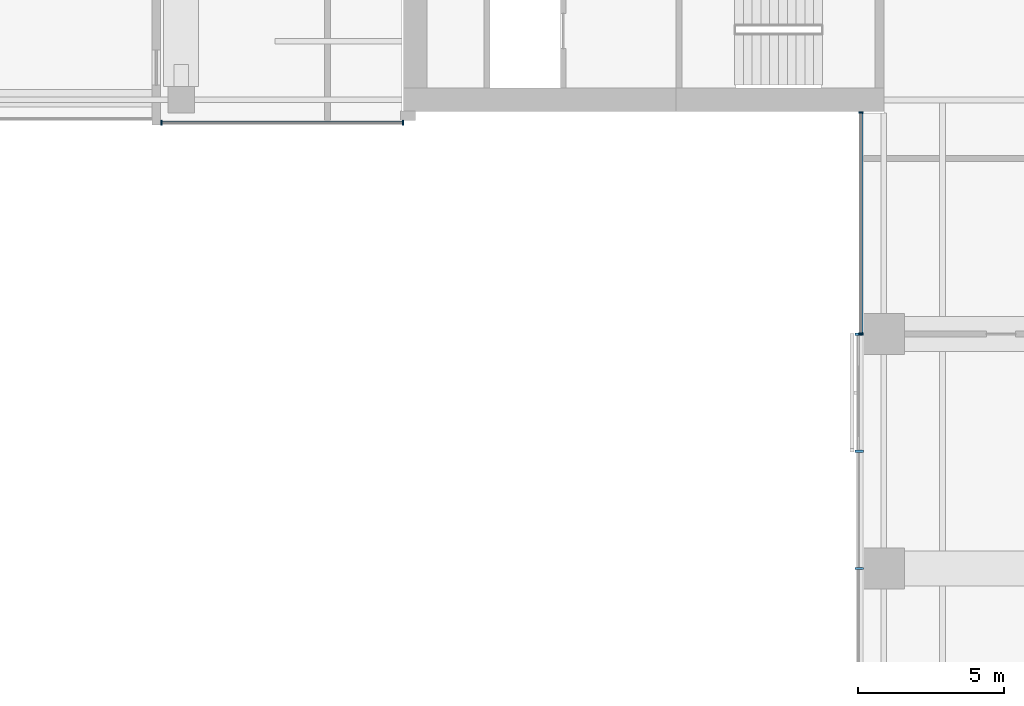
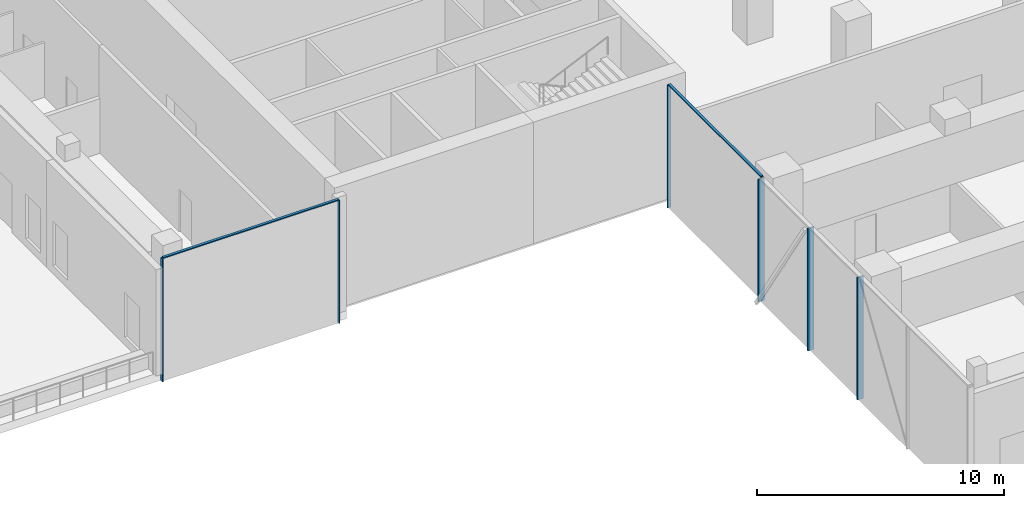
# One storey, part 3 of 23: 9 members, 3 elements without a shape of their own.
"""IFC4 building model written with IfcOpenShell, lengths in metres."""

from ifc_helpers import new_model, si_unit, direction, frame, origin, origin_2d, place, context, subcontext, project, spatial, rectangle, extrude, material, material_profile, profile_set, type_object, element, aggregate, save


model = new_model("IFC4")

# Units and contexts
model_context = context("Model", 3, precision=1e-05, world=origin(), true_north=direction((0.0, 1.0)))
body_context = subcontext(model_context, "Body", "Model", "MODEL_VIEW")
ifc_project = project(units=[si_unit("LENGTHUNIT", "METRE"), si_unit("AREAUNIT", "SQUARE_METRE"), si_unit("VOLUMEUNIT", "CUBIC_METRE"), si_unit("PLANEANGLEUNIT", "RADIAN"), si_unit("MASSUNIT", "GRAM", prefix="KILO")], contexts=[model_context])

# Site, building, storey
site_placement = place(None, origin())
site = spatial("IfcSite", under=ifc_project, at=site_placement, CompositionType="ELEMENT")
building_placement = place(site_placement, origin())
building = spatial("IfcBuilding", under=site, at=building_placement, Name="Crosswind Convention Tower", CompositionType="ELEMENT")
storey_placement = place(building_placement, frame((0.0, 0.0, 47.5)))
storey = spatial("IfcBuildingStorey", under=building, at=storey_placement, Name="L06", CompositionType="ELEMENT", Elevation=47.5)

# Curtain wall, members
ifc_material_1 = material(Name="Aluminium unitised curtain wall", Category="aluminium")
curtain_wall_type_1 = type_object("IfcCurtainWallType", Name="CORE END SLOT WALL 160", PredefinedType="USERDEFINED", material=ifc_material_1)
curtain_wall_1_placement = place(storey_placement, origin())
curtain_wall_1 = element("IfcCurtainWall", 1, at=curtain_wall_1_placement, inside=storey, type_object=curtain_wall_type_1, Name="CW6 L06 W-S.1-1 slot", ObjectType="UNITISED", PredefinedType="USERDEFINED")
ifc_material_2 = material(Name="Aluminium mullion", Category="aluminium")
ifc_material_profile_1 = material_profile(ifc_material_2, rectangle(XDim=0.159912109375, YDim=0.050048828125, at=origin_2d()), Name="AL 160X50")
ifc_profile_set_1 = profile_set([ifc_material_profile_1], Name="Aluminium mullion")
member_type_1 = type_object("IfcMemberType", Name="MULLION 50X160", PredefinedType="MULLION", material=ifc_profile_set_1)
member_1_placement = place(storey_placement, frame((88.324951171875, 87.219970703125, -0.39990234375), z_axis=(0.0, 0.0, 1.0), x_axis=(0.0, -1.0, 0.0)))
member_1 = element("IfcMember", 2, at=member_1_placement, type_object=member_type_1, Name="CW6 mullion 1", PredefinedType="MULLION", context=body_context, shape_type="SweptSolid", body=[
    extrude(rectangle(XDim=0.159912109375, YDim=0.050048828125, at=origin_2d()), origin(), (0.0, 0.0, 1.0), 6.06982421875),
])
member_2_placement = place(storey_placement, frame((96.574951171875, 87.219970703125, -0.39990234375), z_axis=(0.0, 0.0, 1.0), x_axis=(0.0, -1.0, 0.0)))
member_2 = element("IfcMember", 3, at=member_2_placement, type_object=member_type_1, Name="CW6 mullion 2", PredefinedType="MULLION", context=body_context, shape_type="SweptSolid", body=[
    extrude(rectangle(XDim=0.159912109375, YDim=0.050048828125, at=origin_2d()), origin(), (0.0, 0.0, 1.0), 6.06982421875),
])

curtain_wall_2_placement = place(storey_placement, origin())
curtain_wall_2 = element("IfcCurtainWall", 4, at=curtain_wall_2_placement, inside=storey, type_object=curtain_wall_type_1, Name="CW6 L06 S-W.1-1 slot", ObjectType="UNITISED", PredefinedType="USERDEFINED")
member_3_placement = place(storey_placement, frame((112.219970703125, 87.574951171875, -0.39990234375), z_axis=(0.0, 0.0, 1.0), x_axis=(-1.0, 0.0, 0.0)))
member_3 = element("IfcMember", 5, at=member_3_placement, type_object=member_type_1, Name="CW6 mullion 1", PredefinedType="MULLION", context=body_context, shape_type="SweptSolid", body=[
    extrude(rectangle(XDim=0.159912109375, YDim=0.050048828125, at=origin_2d()), origin(), (0.0, 0.0, 1.0), 6.06982421875),
])
member_4_placement = place(storey_placement, frame((112.219970703125, 80.02490234375, -0.39990234375), z_axis=(0.0, 0.0, 1.0), x_axis=(-1.0, 0.0, 0.0)))
member_4 = element("IfcMember", 6, at=member_4_placement, type_object=member_type_1, Name="CW6 mullion 2", PredefinedType="MULLION", context=body_context, shape_type="SweptSolid", body=[
    extrude(rectangle(XDim=0.159912109375, YDim=0.050048828125, at=origin_2d()), origin(), (0.0, 0.0, 1.0), 6.06982421875),
])

curtain_wall_type_2 = type_object("IfcCurtainWallType", Name="SKY LOBBY AND LOUNGE WALL 280", PredefinedType="USERDEFINED", material=ifc_material_1)
curtain_wall_3_placement = place(storey_placement, origin())
curtain_wall_3 = element("IfcCurtainWall", 7, at=curtain_wall_3_placement, inside=storey, type_object=curtain_wall_type_2, Name="CW4 L06 S-W 1", ObjectType="UNITISED", PredefinedType="USERDEFINED")
ifc_material_profile_2 = material_profile(ifc_material_2, rectangle(XDim=0.280029296875, YDim=0.074951171875, at=origin_2d()), Name="AL 280X75")
ifc_profile_set_2 = profile_set([ifc_material_profile_2], Name="Aluminium mullion")
member_type_2 = type_object("IfcMemberType", Name="MULLION 75X280", PredefinedType="MULLION", material=ifc_profile_set_2)
member_5_placement = place(storey_placement, frame((112.159912109375, 80.0, -0.39990234375), z_axis=(0.0, 0.0, 1.0), x_axis=(-1.0, 0.0, 0.0)))
member_5 = element("IfcMember", 8, at=member_5_placement, type_object=member_type_2, Name="CW4 mullion 1", PredefinedType="MULLION", context=body_context, shape_type="SweptSolid", body=[
    extrude(rectangle(XDim=0.280029296875, YDim=0.074951171875, at=origin_2d()), origin(), (0.0, 0.0, 1.0), 6.044921875),
])
member_6_placement = place(storey_placement, frame((112.159912109375, 76.0, -0.39990234375), z_axis=(0.0, 0.0, 1.0), x_axis=(-1.0, 0.0, 0.0)))
member_6 = element("IfcMember", 9, at=member_6_placement, type_object=member_type_2, Name="CW4 mullion 2", PredefinedType="MULLION", context=body_context, shape_type="SweptSolid", body=[
    extrude(rectangle(XDim=0.280029296875, YDim=0.074951171875, at=origin_2d()), origin(), (0.0, 0.0, 1.0), 6.044921875),
])
member_7_placement = place(storey_placement, frame((112.159912109375, 72.0, -0.39990234375), z_axis=(0.0, 0.0, 1.0), x_axis=(-1.0, 0.0, 0.0)))
member_7 = element("IfcMember", 10, at=member_7_placement, type_object=member_type_2, Name="CW4 mullion 3", PredefinedType="MULLION", context=body_context, shape_type="SweptSolid", body=[
    extrude(rectangle(XDim=0.280029296875, YDim=0.074951171875, at=origin_2d()), origin(), (0.0, 0.0, 1.0), 6.044921875),
])
aggregate(curtain_wall_3, [member_5, member_6, member_7])

# Member
ifc_material_3 = material(Name="Aluminium transom", Category="aluminium")
ifc_material_profile_3 = material_profile(ifc_material_3, rectangle(XDim=0.1201171875, YDim=0.050048828125, at=origin_2d()), Name="AL 120X50")
ifc_profile_set_3 = profile_set([ifc_material_profile_3], Name="Aluminium transom")
member_type_3 = type_object("IfcMemberType", Name="TRANSOM 50X120", PredefinedType="USERDEFINED", material=ifc_profile_set_3)
member_8_placement = place(storey_placement, frame((88.35009765625, 87.219970703125, 5.695068359375), z_axis=(1.0, 0.0, 0.0), x_axis=(0.0, 1.0, 0.0)))
member_8 = element("IfcMember", 11, at=member_8_placement, type_object=member_type_3, Name="CW6 transom", ObjectType="TRANSOM", PredefinedType="USERDEFINED", context=body_context, shape_type="SweptSolid", body=[
    extrude(rectangle(XDim=0.1201171875, YDim=0.050048828125, at=origin_2d()), origin(), (0.0, 0.0, 1.0), 8.199951171875),
])

aggregate(curtain_wall_1, [member_1, member_2, member_8])

member_9_placement = place(storey_placement, frame((112.219970703125, 87.550048828125, 5.695068359375), z_axis=(0.0, -1.0, 0.0), x_axis=(1.0, 0.0, 0.0)))
member_9 = element("IfcMember", 12, at=member_9_placement, type_object=member_type_3, Name="CW6 transom", ObjectType="TRANSOM", PredefinedType="USERDEFINED", context=body_context, shape_type="SweptSolid", body=[
    extrude(rectangle(XDim=0.1201171875, YDim=0.050048828125, at=origin_2d()), origin(), (0.0, 0.0, 1.0), 7.5),
])

aggregate(curtain_wall_2, [member_3, member_4, member_9])

save(model, "model.ifc")
